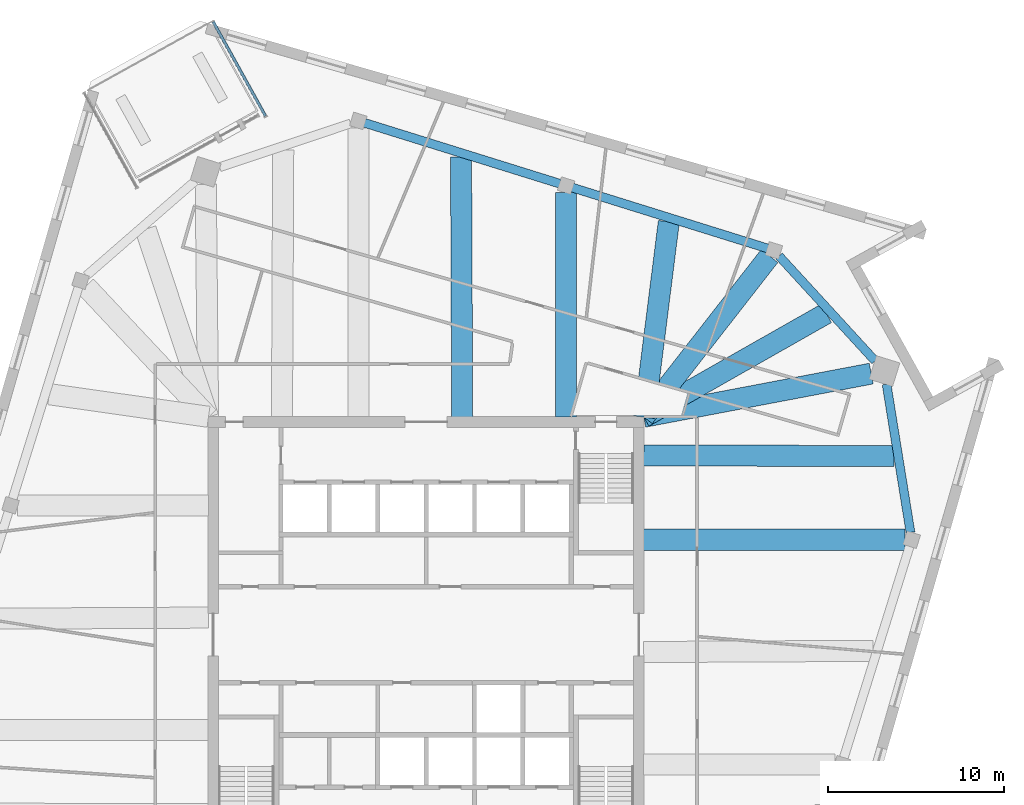
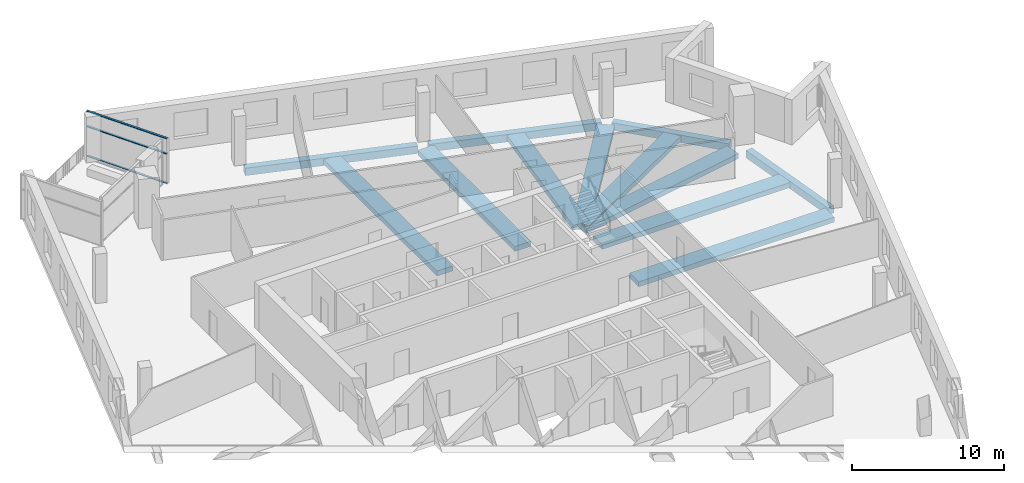
# One storey, part 3 of 15: 12 beams, 3 members, 1 element without a shape of its own.
"""IFC4 building model written with IfcOpenShell, lengths in metres."""

from ifc_helpers import new_model, si_unit, direction, frame, origin, origin_2d, place, context, subcontext, project, spatial, rectangle, extrude, material, material_profile, profile_set, type_object, element, aggregate, save


model = new_model("IFC4")

# Units and contexts
model_context = context("Model", 3, precision=1e-05, world=origin(), true_north=direction((0.0, 1.0)))
body_context = subcontext(model_context, "Body", "Model", "MODEL_VIEW")
ifc_project = project(units=[si_unit("LENGTHUNIT", "METRE"), si_unit("AREAUNIT", "SQUARE_METRE"), si_unit("VOLUMEUNIT", "CUBIC_METRE"), si_unit("PLANEANGLEUNIT", "RADIAN"), si_unit("MASSUNIT", "GRAM", prefix="KILO")], contexts=[model_context])

# Site, building, storey
site_placement = place(None, origin())
site = spatial("IfcSite", under=ifc_project, at=site_placement, CompositionType="ELEMENT")
building_placement = place(site_placement, origin())
building = spatial("IfcBuilding", under=site, at=building_placement, Name="Dilmun Exchange Tower", CompositionType="ELEMENT")
storey_placement = place(building_placement, frame((0.0, 0.0, 328.5)))
storey = spatial("IfcBuildingStorey", under=building, at=storey_placement, Name="L78", CompositionType="ELEMENT", Elevation=328.5)

# Curtain wall, members
ifc_material_1 = material(Name="Anodised aluminium and clear glass", Category="aluminium")
curtain_wall_type = type_object("IfcCurtainWallType", Name="Garden corner glazing", PredefinedType="NOTDEFINED", material=ifc_material_1)
curtain_wall_placement = place(storey_placement, origin())
curtain_wall = element("IfcCurtainWall", 1, at=curtain_wall_placement, inside=storey, type_object=curtain_wall_type, Name="Garden corner glazing run GC1.1", PredefinedType="NOTDEFINED")
ifc_material_2 = material(Name="Anodised aluminium", Category="aluminium")
ifc_material_profile_1 = material_profile(ifc_material_2, rectangle(XDim=0.159912109375, YDim=0.06005859375, at=origin_2d()), Name="AL 60x160")
ifc_profile_set_1 = profile_set([ifc_material_profile_1], Name="Anodised aluminium")
member_type = type_object("IfcMemberType", Name="Garden corner glazing transom 60 x 160", PredefinedType="USERDEFINED", material=ifc_profile_set_1)
member_1_placement = place(storey_placement, frame((-12.1064453125, 34.85693359375, 0.030029296875), z_axis=(0.484796793564, -0.874626816963, 0.0), x_axis=(0.874626816963, 0.484796793564, 0.0)))
member_1 = element("IfcMember", 2, at=member_1_placement, type_object=member_type, Name="GC1.1 transom 1.1", ObjectType="TRANSOM", PredefinedType="USERDEFINED", context=body_context, shape_type="SweptSolid", body=[
    extrude(rectangle(XDim=0.159912109375, YDim=0.06005859375, at=origin_2d()), origin(), (0.0, 0.0, 1.0), 6.126220703125),
])
member_2_placement = place(storey_placement, frame((-12.1064453125, 34.85693359375, 2.39990234375), z_axis=(0.484796793564, -0.874626816963, 0.0), x_axis=(0.874626816963, 0.484796793564, 0.0)))
member_2 = element("IfcMember", 3, at=member_2_placement, type_object=member_type, Name="GC1.1 transom 1.2", ObjectType="TRANSOM", PredefinedType="USERDEFINED", context=body_context, shape_type="SweptSolid", body=[
    extrude(rectangle(XDim=0.159912109375, YDim=0.06005859375, at=origin_2d()), origin(), (0.0, 0.0, 1.0), 6.126220703125),
])
member_3_placement = place(storey_placement, frame((-12.1064453125, 34.85693359375, 3.6201171875), z_axis=(0.484796793564, -0.874626816963, 0.0), x_axis=(0.874626816963, 0.484796793564, 0.0)))
member_3 = element("IfcMember", 4, at=member_3_placement, type_object=member_type, Name="GC1.1 transom 1.3", ObjectType="TRANSOM", PredefinedType="USERDEFINED", context=body_context, shape_type="SweptSolid", body=[
    extrude(rectangle(XDim=0.159912109375, YDim=0.06005859375, at=origin_2d()), origin(), (0.0, 0.0, 1.0), 6.126220703125),
])
aggregate(curtain_wall, [member_1, member_2, member_3])

# Beams
ifc_material_3 = material(Name="Concrete C40/50", Category="concrete")
ifc_material_profile_2 = material_profile(ifc_material_3, rectangle(XDim=1.199951171875, YDim=0.39990234375, at=origin_2d()), Name="1200 x 400")
ifc_profile_set_2 = profile_set([ifc_material_profile_2], Name="Concrete C40/50")
beam_type_1 = type_object("IfcBeamType", Name="RC band beam 1200 x 400 C40/50", PredefinedType="BEAM", material=ifc_profile_set_2)
beam_1_placement = place(storey_placement, frame((27.216064453125, 5.406005859375, -0.64990234375), z_axis=(-1.0, 0.0, 0.0), x_axis=(0.0, -1.0, 0.0)))
element("IfcBeam", 5, at=beam_1_placement, inside=storey, type_object=beam_type_1, Name="Band beam 12", PredefinedType="BEAM", context=body_context, shape_type="SweptSolid", body=[
    extrude(rectangle(XDim=1.199951171875, YDim=0.39990234375, at=origin_2d()), origin(), (0.0, 0.0, 1.0), 14.843017578125),
])
beam_2_placement = place(storey_placement, frame((25.30712890625, 14.85205078125, -0.64990234375), z_axis=(-0.982429348436, -0.18663487169, 0.0), x_axis=(0.18663487169, -0.982429348436, 0.0)))
element("IfcBeam", 6, at=beam_2_placement, inside=storey, type_object=beam_type_1, Name="Band beam 13", PredefinedType="BEAM", context=body_context, shape_type="SweptSolid", body=[
    extrude(rectangle(XDim=1.199951171875, YDim=0.39990234375, at=origin_2d()), origin(), (0.0, 0.0, 1.0), 13.164794921875),
])
beam_3_placement = place(storey_placement, frame((19.52685546875, 21.541259765625, -0.64990234375), z_axis=(-0.614856714099, -0.788638840743, 0.0), x_axis=(0.788638840743, -0.614856714099, 0.0)))
element("IfcBeam", 7, at=beam_3_placement, inside=storey, type_object=beam_type_1, Name="Band beam 14", PredefinedType="BEAM", context=body_context, shape_type="SweptSolid", body=[
    extrude(rectangle(XDim=1.199951171875, YDim=0.39990234375, at=origin_2d()), origin(), (0.0, 0.0, 1.0), 11.6181640625),
])
beam_4_placement = place(storey_placement, frame((7.9580078125, 25.14697265625, -0.64990234375), z_axis=(0.0, -1.0, 0.0), x_axis=(1.0, 0.0, 0.0)))
element("IfcBeam", 8, at=beam_4_placement, inside=storey, type_object=beam_type_1, Name="Band beam 15", PredefinedType="BEAM", context=body_context, shape_type="SweptSolid", body=[
    extrude(rectangle(XDim=1.199951171875, YDim=0.39990234375, at=origin_2d()), origin(), (0.0, 0.0, 1.0), 12.77392578125),
])
beam_5_placement = place(storey_placement, frame((26.614013671875, 10.1650390625, -0.550048828125), z_axis=(-0.999996910379, 0.002485806038, 0.0), x_axis=(-0.002485806038, -0.999996910379, 0.0)))
element("IfcBeam", 9, at=beam_5_placement, inside=storey, type_object=beam_type_1, Name="Band beam 28", PredefinedType="BEAM", context=body_context, shape_type="SweptSolid", body=[
    extrude(rectangle(XDim=1.199951171875, YDim=0.39990234375, at=origin_2d()), origin(), (0.0, 0.0, 1.0), 14.240966796875),
])
beam_6_placement = place(storey_placement, frame((22.752197265625, 18.275390625, -0.550048828125), z_axis=(-0.869690188955, -0.493597989496, 0.0), x_axis=(0.493597989496, -0.869690188955, 0.0)))
element("IfcBeam", 10, at=beam_6_placement, inside=storey, type_object=beam_type_1, Name="Band beam 29", PredefinedType="BEAM", context=body_context, shape_type="SweptSolid", body=[
    extrude(rectangle(XDim=1.199951171875, YDim=0.39990234375, at=origin_2d()), origin(), (0.0, 0.0, 1.0), 11.93017578125),
])
beam_7_placement = place(storey_placement, frame((13.79931640625, 23.485107421875, -0.550048828125), z_axis=(-0.125252659456, -0.992124876867, 0.0), x_axis=(0.992124876867, -0.125252659456, 0.0)))
element("IfcBeam", 11, at=beam_7_placement, inside=storey, type_object=beam_type_1, Name="Band beam 30", PredefinedType="BEAM", context=body_context, shape_type="SweptSolid", body=[
    extrude(rectangle(XDim=1.199951171875, YDim=0.39990234375, at=origin_2d()), origin(), (0.0, 0.0, 1.0), 11.199951171875),
])
beam_8_placement = place(storey_placement, frame((1.984619140625, 27.16650390625, -0.550048828125), z_axis=(0.004488848064, -0.999989925071, 0.0), x_axis=(0.999989925071, 0.004488848064, 0.0)))
element("IfcBeam", 12, at=beam_8_placement, inside=storey, type_object=beam_type_1, Name="Band beam 31", PredefinedType="BEAM", context=body_context, shape_type="SweptSolid", body=[
    extrude(rectangle(XDim=1.199951171875, YDim=0.39990234375, at=origin_2d()), origin(), (0.0, 0.0, 1.0), 14.793701171875),
])
ifc_material_profile_3 = material_profile(ifc_material_3, rectangle(XDim=0.5, YDim=0.60009765625, at=origin_2d()), Name="500 x 600")
ifc_profile_set_3 = profile_set([ifc_material_profile_3], Name="Concrete C40/50")
beam_type_2 = type_object("IfcBeamType", Name="RC ring beam 500 x 600 C40/50", PredefinedType="SPANDREL", material=ifc_profile_set_3)
beam_9_placement = place(storey_placement, frame((27.541015625, 5.820556640625, -0.64990234375), z_axis=(-0.159356501233, 0.987221102649, 0.0), x_axis=(-0.987221102649, -0.159356501233, 0.0)))
element("IfcBeam", 13, at=beam_9_placement, inside=storey, type_object=beam_type_2, Name="Ring beam 12", PredefinedType="SPANDREL", context=body_context, shape_type="SweptSolid", body=[
    extrude(rectangle(XDim=0.5, YDim=0.60009765625, at=origin_2d()), origin(), (0.0, 0.0, 1.0), 8.5380859375),
])
beam_10_placement = place(storey_placement, frame((25.531005859375, 15.572265625, -0.64990234375), z_axis=(-0.675535971399, 0.737327031476, 0.0), x_axis=(-0.737327031476, -0.675535971399, 0.0)))
element("IfcBeam", 14, at=beam_10_placement, inside=storey, type_object=beam_type_2, Name="Ring beam 13", PredefinedType="SPANDREL", context=body_context, shape_type="SweptSolid", body=[
    extrude(rectangle(XDim=0.5, YDim=0.60009765625, at=origin_2d()), origin(), (0.0, 0.0, 1.0), 8.087890625),
])
beam_11_placement = place(storey_placement, frame((19.4169921875, 21.968017578125, -0.64990234375), z_axis=(-0.95471613385, 0.297518241065, 0.0), x_axis=(-0.297518241065, -0.95471613385, 0.0)))
element("IfcBeam", 15, at=beam_11_placement, inside=storey, type_object=beam_type_2, Name="Ring beam 14", PredefinedType="SPANDREL", context=body_context, shape_type="SweptSolid", body=[
    extrude(rectangle(XDim=0.5, YDim=0.60009765625, at=origin_2d()), origin(), (0.0, 0.0, 1.0), 11.62939453125),
])
beam_12_placement = place(storey_placement, frame((7.601806640625, 25.64990234375, -0.64990234375), z_axis=(-0.954732553331, 0.297465546931, 0.0), x_axis=(-0.297465546931, -0.954732553331, 0.0)))
element("IfcBeam", 16, at=beam_12_placement, inside=storey, type_object=beam_type_2, Name="Ring beam 15", PredefinedType="SPANDREL", context=body_context, shape_type="SweptSolid", body=[
    extrude(rectangle(XDim=0.5, YDim=0.60009765625, at=origin_2d()), origin(), (0.0, 0.0, 1.0), 11.628173828125),
])

save(model, "model.ifc")
